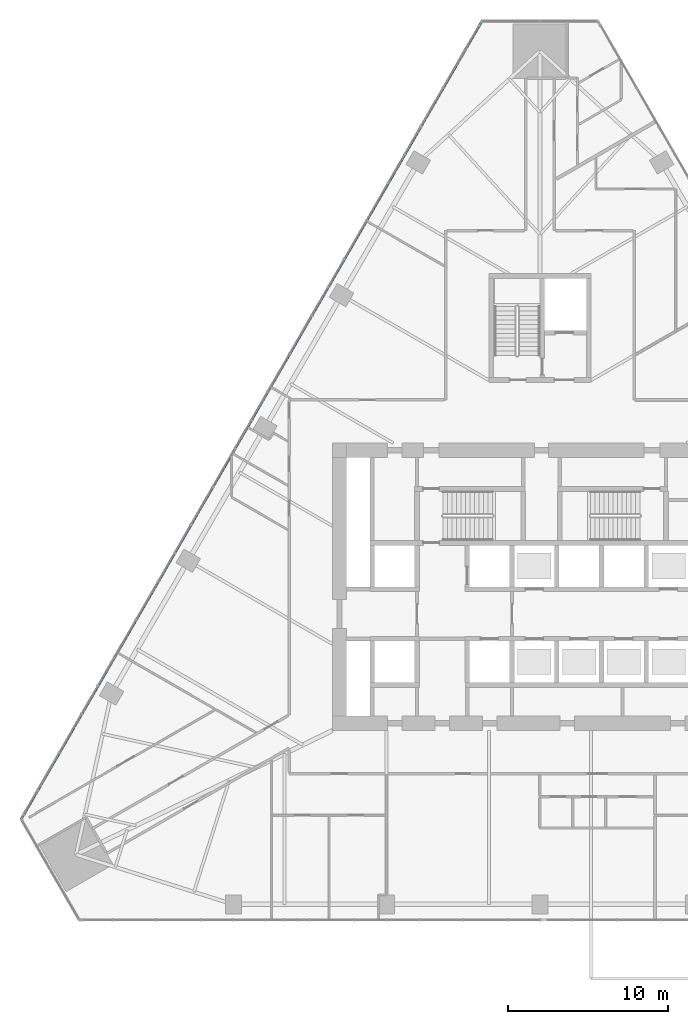
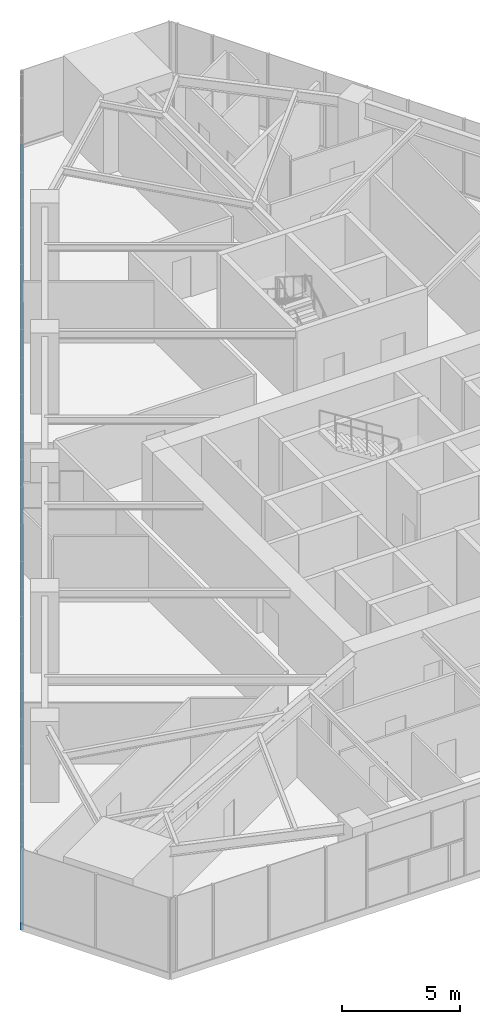
# One storey, part 9 of 29: 1 member, 1 element without a shape of its own.
"""IFC4 building model written with IfcOpenShell, lengths in metres."""

import ifcopenshell
import ifcopenshell.guid

model = None  # the IFC model being written
_history = None  # IfcOwnerHistory: only IFC2X3 demands one
_inside = {}  # id of a spatial element -> (the spatial element, [elements in it])
_under = {}  # id of a project, library or spatial element -> (it, [spatial elements below it])
_declared = {}  # id of a project -> (the project, [libraries it declares])
_typed = {}  # id of a type object -> (the type object, [elements of that type])
_made_of = {}  # id of a material, layer set ... -> (it, [elements and type objects made of it])


def new_model(schema):
    """Start an empty IFC model of exactly this schema.

    Asked for "IFC4X3", IfcOpenShell would pick the latest addendum, in which some entities
    have other attributes; the version numbers below select the first issue.
    IFC2X3 requires an IfcOwnerHistory on every rooted entity: one is made here for all.
    """
    global model, _history
    if schema == "IFC4X3":
        model = ifcopenshell.file(schema_version=(4, 3, 0, 0))
    else:
        model = ifcopenshell.file(schema=schema)
    _inside.clear()
    _under.clear()
    _declared.clear()
    _typed.clear()
    _made_of.clear()
    _history = None
    if model.schema == "IFC2X3":
        org = make("IfcOrganization", Name="unknown")
        user = make(
            "IfcPersonAndOrganization",
            ThePerson=make("IfcPerson", FamilyName="unknown"),
            TheOrganization=org,
        )
        app = make(
            "IfcApplication",
            ApplicationDeveloper=org,
            Version="unknown",
            ApplicationFullName="unknown",
            ApplicationIdentifier="unknown",
        )
        _history = make(
            "IfcOwnerHistory",
            OwningUser=user,
            OwningApplication=app,
            ChangeAction="ADDED",
            CreationDate=0,
        )
    return model


def make(cls, **values):
    """One entity of the class cls with the attributes given. An attribute that is None is left unset."""
    return model.create_entity(
        cls, **{name: value for name, value in values.items() if value is not None}
    )


def rooted(cls, **values):
    """An entity with a GlobalId (a new one), such as an element, a storey or a relation."""
    return make(cls, GlobalId=ifcopenshell.guid.new(), OwnerHistory=_history, **values)


def si_unit(unit_type, name, prefix=None):
    """IfcSIUnit, for example si_unit("LENGTHUNIT", "METRE", prefix="MILLI")."""
    return make("IfcSIUnit", UnitType=unit_type, Prefix=prefix, Name=name)


def assignment(units):
    """IfcUnitAssignment: the units of a project."""
    return None if units is None else make("IfcUnitAssignment", Units=units)


def point(xyz):
    """IfcCartesianPoint."""
    return None if xyz is None else make("IfcCartesianPoint", Coordinates=xyz)


def direction(xyz):
    """IfcDirection."""
    return None if xyz is None else make("IfcDirection", DirectionRatios=xyz)


def frame(location, z_axis=None, x_axis=None):
    """IfcAxis2Placement3D, a coordinate frame: its origin and axes. An axis left out is left unset."""
    return make(
        "IfcAxis2Placement3D",
        Location=point(location),
        Axis=direction(z_axis),
        RefDirection=direction(x_axis),
    )


def frame_2d(location, x_axis=None):
    """IfcAxis2Placement2D, a coordinate frame in the plane: its origin and x axis."""
    return make(
        "IfcAxis2Placement2D", Location=point(location), RefDirection=direction(x_axis)
    )


def origin():
    """The frame at (0, 0, 0) with its axes left unset."""
    return frame((0.0, 0.0, 0.0))


def origin_2d():
    """The frame at (0, 0) in the plane with its x axis left unset."""
    return frame_2d((0.0, 0.0))


def place(relative_to, where):
    """IfcLocalPlacement: puts the frame where relative to a parent placement (None: the world)."""
    return make(
        "IfcLocalPlacement", PlacementRelTo=relative_to, RelativePlacement=where
    )


def context(
    kind, dimensions, precision=None, world=None, true_north=None, identifier=None
):
    """IfcGeometricRepresentationContext, for example the 3D "Model" context."""
    return make(
        "IfcGeometricRepresentationContext",
        ContextIdentifier=identifier,
        ContextType=kind,
        CoordinateSpaceDimension=dimensions,
        Precision=precision,
        WorldCoordinateSystem=world,
        TrueNorth=true_north,
    )


def subcontext(parent, identifier, kind, view, scale=None):
    """IfcGeometricRepresentationSubContext, for example "Body" below "Model"."""
    return make(
        "IfcGeometricRepresentationSubContext",
        ContextIdentifier=identifier,
        ContextType=kind,
        ParentContext=parent,
        TargetScale=scale,
        TargetView=view,
    )


def project(units=None, contexts=None):
    """IfcProject with its units and contexts."""
    return rooted(
        "IfcProject",
        Name="project",
        RepresentationContexts=contexts,
        UnitsInContext=assignment(units),
    )


def spatial(cls, under=None, at=None, **own):
    """A site, building, storey or space (cls), placed at a placement, below another one or the project."""
    s = rooted(cls, ObjectPlacement=at, **own)
    if under is not None:
        _under.setdefault(under.id(), (under, []))[1].append(s)
    return s


def profile(cls, at=None, kind="AREA", **sizes):
    """A parametric profile (cls). Its sizes go by their IFC names, for example OverallWidth=200.0."""
    return make(cls, ProfileType=kind, Position=at, **sizes)


def rectangle(**sizes):
    """IfcRectangleProfileDef."""
    return profile("IfcRectangleProfileDef", **sizes)


def extrude(swept, where, along, depth):
    """IfcExtrudedAreaSolid: the profile swept, set in the frame where, extruded along a direction by depth."""
    return make(
        "IfcExtrudedAreaSolid",
        SweptArea=swept,
        Position=where,
        ExtrudedDirection=direction(along),
        Depth=depth,
    )


def shape(context_of_items, identifier, shape_type, items):
    """IfcShapeRepresentation: the items that make up one representation, for example the "Body"."""
    return make(
        "IfcShapeRepresentation",
        ContextOfItems=context_of_items,
        RepresentationIdentifier=identifier,
        RepresentationType=shape_type,
        Items=items,
    )


def material(Name=None, Category=None):
    """IfcMaterial."""
    return make("IfcMaterial", Name=Name, Category=Category)


def layer(
    of_material, thickness, ventilated=None, Name=None, Category=None, Priority=None
):
    """IfcMaterialLayer: one layer of a wall or slab, of a material (None: an air gap)."""
    return make(
        "IfcMaterialLayer",
        Material=of_material,
        LayerThickness=thickness,
        IsVentilated=ventilated,
        Name=Name,
        Category=Category,
        Priority=Priority,
    )


def layer_set(layers, Name=None):
    """IfcMaterialLayerSet."""
    return make("IfcMaterialLayerSet", MaterialLayers=layers, LayerSetName=Name)


def material_profile(
    of_material, cross_section, Name=None, Category=None, Priority=None
):
    """IfcMaterialProfile: a cross section and its material."""
    return make(
        "IfcMaterialProfile",
        Name=Name,
        Material=of_material,
        Profile=cross_section,
        Priority=Priority,
        Category=Category,
    )


def profile_set(profiles, Name=None, composite=None):
    """IfcMaterialProfileSet."""
    return make(
        "IfcMaterialProfileSet",
        Name=Name,
        MaterialProfiles=profiles,
        CompositeProfile=composite,
    )


def made_of(thing, what):
    """Note that an element or type object is made of a material, layer set ...; save() writes the relation."""
    if what is not None:
        _made_of.setdefault(what.id(), (what, []))[1].append(thing)
    return thing


def type_object(cls, material=None, **own):
    """A type object (cls), such as IfcWallType, which elements share."""
    return made_of(rooted(cls, **own), material)


def element(
    cls,
    number,
    at=None,
    inside=None,
    cuts=None,
    type_object=None,
    material=None,
    context=None,
    identifier="Body",
    shape_type=None,
    held_by="IfcProductDefinitionShape",
    body=None,
    shapes=None,
    **own,
):
    """One element of the class cls, such as IfcWall. Its Tag is "e" and its number.

    at: its placement. inside: the storey or other place that contains it. cuts: it is an
    opening in that element (IfcRelVoidsElement). A single representation is given by context,
    identifier, shape_type and body (its items); several are given by shapes. held_by: the class
    of the entity that holds the representations. save() writes the other relations.
    """
    e = rooted(cls, Tag="e%d" % number, ObjectPlacement=at, **own)
    if body is not None:
        shapes = [shape(context, identifier, shape_type, body)]
    if shapes is not None:
        e.Representation = make(held_by, Representations=shapes)
    if inside is not None:
        _inside.setdefault(inside.id(), (inside, []))[1].append(e)
    if cuts is not None:
        rooted(
            "IfcRelVoidsElement", RelatingBuildingElement=cuts, RelatedOpeningElement=e
        )
    if type_object is not None:
        _typed.setdefault(type_object.id(), (type_object, []))[1].append(e)
    return made_of(e, material)


def aggregate(whole, parts):
    """IfcRelAggregates: a whole, such as a stair, and the parts it consists of."""
    return rooted("IfcRelAggregates", RelatingObject=whole, RelatedObjects=parts)


def save(model, path):
    """Write the relations noted so far, then the file.

    IfcRelAggregates (storeys below a building ...), IfcRelContainedInSpatialStructure (elements
    in a storey), IfcRelDefinesByType, IfcRelAssociatesMaterial and IfcRelDeclares: one each for
    every whole, place, type object, material and project.
    """
    for whole, parts in _under.values():
        aggregate(whole, parts)
    for where, things in _inside.values():
        rooted(
            "IfcRelContainedInSpatialStructure",
            RelatedElements=things,
            RelatingStructure=where,
        )
    for kind, things in _typed.values():
        rooted("IfcRelDefinesByType", RelatedObjects=things, RelatingType=kind)
    for what, things in _made_of.values():
        rooted("IfcRelAssociatesMaterial", RelatedObjects=things, RelatingMaterial=what)
    for by, libraries in _declared.values():
        rooted("IfcRelDeclares", RelatingContext=by, RelatedDefinitions=libraries)
    model.write(path)


model = new_model("IFC4")

# Units and contexts
model_context = context("Model", 3, precision=1e-05, world=origin(), true_north=direction((0.0, 1.0)))
body_context = subcontext(model_context, "Body", "Model", "MODEL_VIEW")
ifc_project = project(units=[si_unit("LENGTHUNIT", "METRE"), si_unit("AREAUNIT", "SQUARE_METRE"), si_unit("VOLUMEUNIT", "CUBIC_METRE"), si_unit("PLANEANGLEUNIT", "RADIAN"), si_unit("MASSUNIT", "GRAM", prefix="KILO")], contexts=[model_context])

# Site, building, storey
site_placement = place(None, origin())
site = spatial("IfcSite", under=ifc_project, at=site_placement, CompositionType="ELEMENT")
building_placement = place(site_placement, origin())
building = spatial("IfcBuilding", under=site, at=building_placement, Name="Firuza Gate Tower and Library", CompositionType="ELEMENT")
storey_placement = place(building_placement, frame((0.0, 0.0, 44.199951171875)))
storey = spatial("IfcBuildingStorey", under=building, at=storey_placement, Name="L09", CompositionType="ELEMENT", Elevation=44.199951171875)

# Curtain wall, member
ifc_material_1 = material(Name="Aluminium 6063-T6", Category="aluminium")
ifc_layer = layer(ifc_material_1, 0.14990234375)
ifc_layer_set = layer_set([ifc_layer], Name="Unitised curtain wall, offices")
curtain_wall_type = type_object("IfcCurtainWallType", Name="Unitised curtain wall, offices", PredefinedType="NOTDEFINED", material=ifc_layer_set)
curtain_wall_placement = place(storey_placement, origin())
curtain_wall = element("IfcCurtainWall", 1, at=curtain_wall_placement, inside=storey, type_object=curtain_wall_type, Name="CW1 L09 W face", PredefinedType="NOTDEFINED")
ifc_material_2 = material(Name="Aluminium 6063-T6", Category="aluminium")
ifc_material_profile = material_profile(ifc_material_2, rectangle(XDim=0.14990234375, YDim=0.35009765625, at=origin_2d()))
ifc_profile_set = profile_set([ifc_material_profile], Name="Aluminium 6063-T6")
member_type = type_object("IfcMemberType", Name="Curtain wall transom 350x150", PredefinedType="USERDEFINED", material=ifc_profile_set)
member_placement = place(storey_placement, frame((71.356689453125, 110.408935546875, -0.02490234375), z_axis=(-0.499998069382, -0.866026518424, 0.0), x_axis=(0.866026518424, -0.499998069382, 0.0)))
member = element("IfcMember", 2, at=member_placement, type_object=member_type, Name="Transom", ObjectType="TRANSOM", PredefinedType="USERDEFINED", context=body_context, shape_type="SweptSolid", body=[
    extrude(rectangle(XDim=0.14990234375, YDim=0.35009765625, at=origin_2d()), origin(), (0.0, 0.0, 1.0), 57.686767578125),
])
aggregate(curtain_wall, [member])

save(model, "model.ifc")
